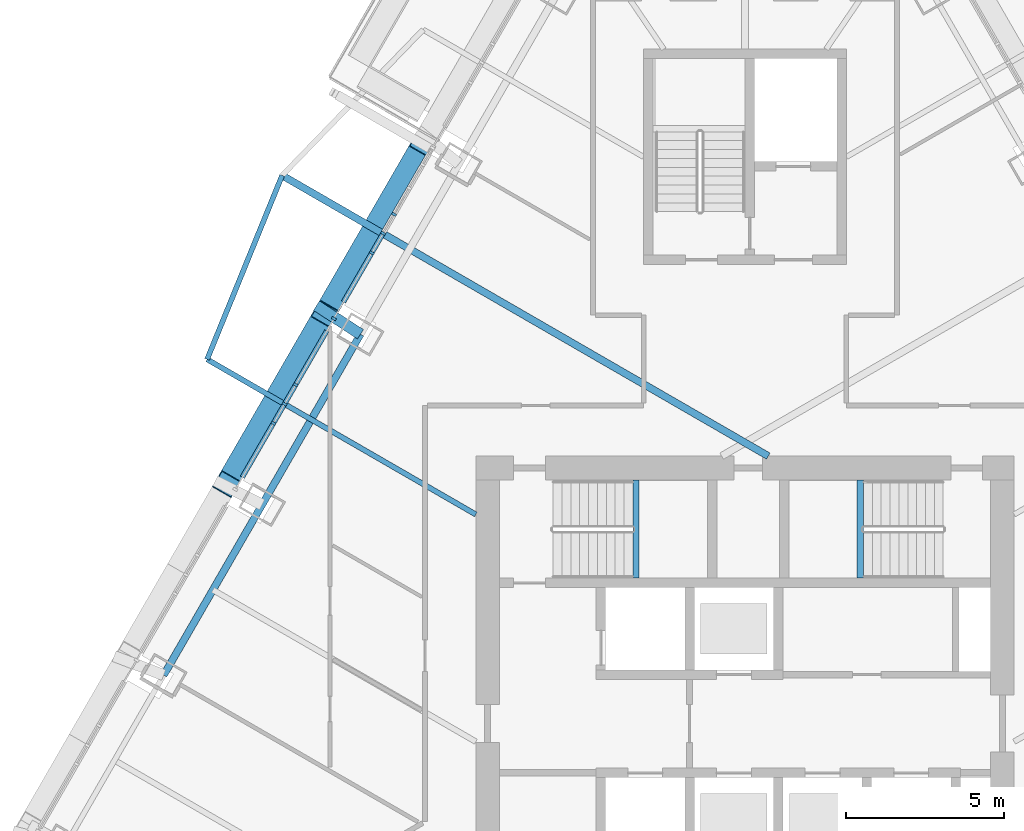
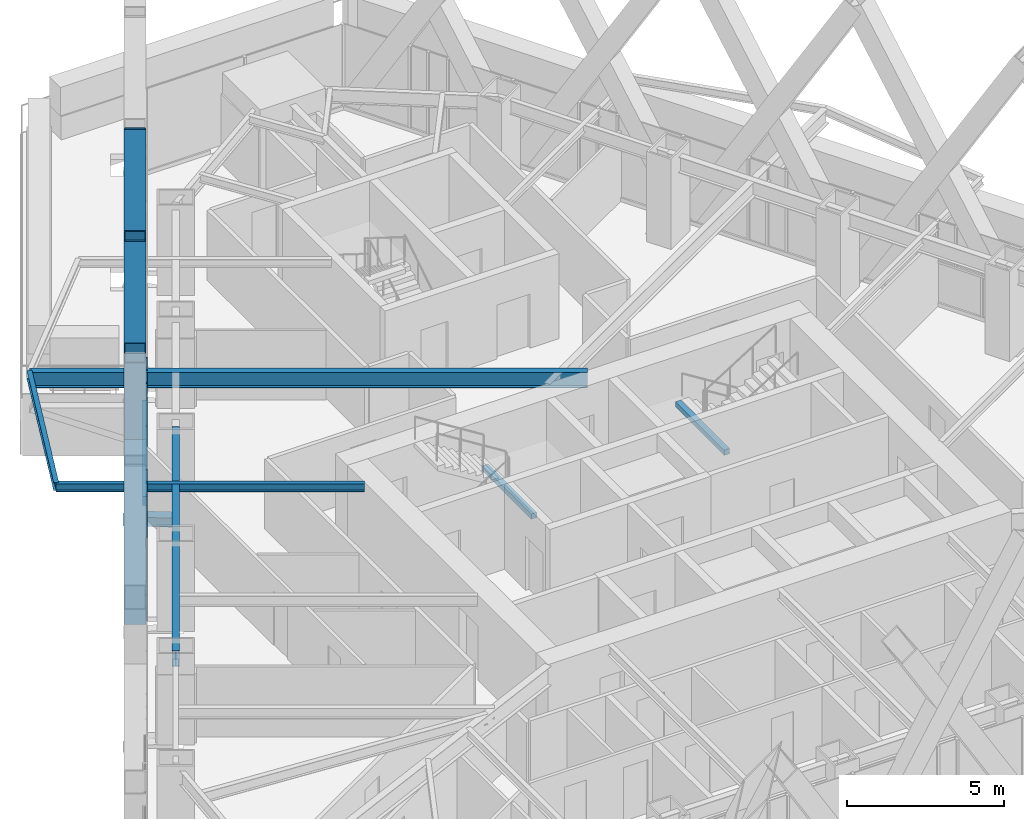
# One storey, part 4 of 23: 14 members, 6 beams, 1 element without a shape of its own.
"""IFC4 building model written with IfcOpenShell, lengths in metres."""

import ifcopenshell
import ifcopenshell.guid

model = None  # the IFC model being written
_history = None  # IfcOwnerHistory: only IFC2X3 demands one
_inside = {}  # id of a spatial element -> (the spatial element, [elements in it])
_under = {}  # id of a project, library or spatial element -> (it, [spatial elements below it])
_declared = {}  # id of a project -> (the project, [libraries it declares])
_typed = {}  # id of a type object -> (the type object, [elements of that type])
_made_of = {}  # id of a material, layer set ... -> (it, [elements and type objects made of it])


def new_model(schema):
    """Start an empty IFC model of exactly this schema.

    Asked for "IFC4X3", IfcOpenShell would pick the latest addendum, in which some entities
    have other attributes; the version numbers below select the first issue.
    IFC2X3 requires an IfcOwnerHistory on every rooted entity: one is made here for all.
    """
    global model, _history
    if schema == "IFC4X3":
        model = ifcopenshell.file(schema_version=(4, 3, 0, 0))
    else:
        model = ifcopenshell.file(schema=schema)
    _inside.clear()
    _under.clear()
    _declared.clear()
    _typed.clear()
    _made_of.clear()
    _history = None
    if model.schema == "IFC2X3":
        org = make("IfcOrganization", Name="unknown")
        user = make(
            "IfcPersonAndOrganization",
            ThePerson=make("IfcPerson", FamilyName="unknown"),
            TheOrganization=org,
        )
        app = make(
            "IfcApplication",
            ApplicationDeveloper=org,
            Version="unknown",
            ApplicationFullName="unknown",
            ApplicationIdentifier="unknown",
        )
        _history = make(
            "IfcOwnerHistory",
            OwningUser=user,
            OwningApplication=app,
            ChangeAction="ADDED",
            CreationDate=0,
        )
    return model


def make(cls, **values):
    """One entity of the class cls with the attributes given. An attribute that is None is left unset."""
    return model.create_entity(
        cls, **{name: value for name, value in values.items() if value is not None}
    )


def rooted(cls, **values):
    """An entity with a GlobalId (a new one), such as an element, a storey or a relation."""
    return make(cls, GlobalId=ifcopenshell.guid.new(), OwnerHistory=_history, **values)


def si_unit(unit_type, name, prefix=None):
    """IfcSIUnit, for example si_unit("LENGTHUNIT", "METRE", prefix="MILLI")."""
    return make("IfcSIUnit", UnitType=unit_type, Prefix=prefix, Name=name)


def assignment(units):
    """IfcUnitAssignment: the units of a project."""
    return None if units is None else make("IfcUnitAssignment", Units=units)


def point(xyz):
    """IfcCartesianPoint."""
    return None if xyz is None else make("IfcCartesianPoint", Coordinates=xyz)


def direction(xyz):
    """IfcDirection."""
    return None if xyz is None else make("IfcDirection", DirectionRatios=xyz)


def frame(location, z_axis=None, x_axis=None):
    """IfcAxis2Placement3D, a coordinate frame: its origin and axes. An axis left out is left unset."""
    return make(
        "IfcAxis2Placement3D",
        Location=point(location),
        Axis=direction(z_axis),
        RefDirection=direction(x_axis),
    )


def frame_2d(location, x_axis=None):
    """IfcAxis2Placement2D, a coordinate frame in the plane: its origin and x axis."""
    return make(
        "IfcAxis2Placement2D", Location=point(location), RefDirection=direction(x_axis)
    )


def origin():
    """The frame at (0, 0, 0) with its axes left unset."""
    return frame((0.0, 0.0, 0.0))


def origin_2d():
    """The frame at (0, 0) in the plane with its x axis left unset."""
    return frame_2d((0.0, 0.0))


def place(relative_to, where):
    """IfcLocalPlacement: puts the frame where relative to a parent placement (None: the world)."""
    return make(
        "IfcLocalPlacement", PlacementRelTo=relative_to, RelativePlacement=where
    )


def context(
    kind, dimensions, precision=None, world=None, true_north=None, identifier=None
):
    """IfcGeometricRepresentationContext, for example the 3D "Model" context."""
    return make(
        "IfcGeometricRepresentationContext",
        ContextIdentifier=identifier,
        ContextType=kind,
        CoordinateSpaceDimension=dimensions,
        Precision=precision,
        WorldCoordinateSystem=world,
        TrueNorth=true_north,
    )


def subcontext(parent, identifier, kind, view, scale=None):
    """IfcGeometricRepresentationSubContext, for example "Body" below "Model"."""
    return make(
        "IfcGeometricRepresentationSubContext",
        ContextIdentifier=identifier,
        ContextType=kind,
        ParentContext=parent,
        TargetScale=scale,
        TargetView=view,
    )


def project(units=None, contexts=None):
    """IfcProject with its units and contexts."""
    return rooted(
        "IfcProject",
        Name="project",
        RepresentationContexts=contexts,
        UnitsInContext=assignment(units),
    )


def spatial(cls, under=None, at=None, **own):
    """A site, building, storey or space (cls), placed at a placement, below another one or the project."""
    s = rooted(cls, ObjectPlacement=at, **own)
    if under is not None:
        _under.setdefault(under.id(), (under, []))[1].append(s)
    return s


def profile(cls, at=None, kind="AREA", **sizes):
    """A parametric profile (cls). Its sizes go by their IFC names, for example OverallWidth=200.0."""
    return make(cls, ProfileType=kind, Position=at, **sizes)


def rectangle(**sizes):
    """IfcRectangleProfileDef."""
    return profile("IfcRectangleProfileDef", **sizes)


def hollow_rectangle(**sizes):
    """IfcRectangleHollowProfileDef."""
    return profile("IfcRectangleHollowProfileDef", **sizes)


def i_section(**sizes):
    """IfcIShapeProfileDef."""
    return profile("IfcIShapeProfileDef", **sizes)


def extrude(swept, where, along, depth):
    """IfcExtrudedAreaSolid: the profile swept, set in the frame where, extruded along a direction by depth."""
    return make(
        "IfcExtrudedAreaSolid",
        SweptArea=swept,
        Position=where,
        ExtrudedDirection=direction(along),
        Depth=depth,
    )


def shape(context_of_items, identifier, shape_type, items):
    """IfcShapeRepresentation: the items that make up one representation, for example the "Body"."""
    return make(
        "IfcShapeRepresentation",
        ContextOfItems=context_of_items,
        RepresentationIdentifier=identifier,
        RepresentationType=shape_type,
        Items=items,
    )


def material(Name=None, Category=None):
    """IfcMaterial."""
    return make("IfcMaterial", Name=Name, Category=Category)


def layer(
    of_material, thickness, ventilated=None, Name=None, Category=None, Priority=None
):
    """IfcMaterialLayer: one layer of a wall or slab, of a material (None: an air gap)."""
    return make(
        "IfcMaterialLayer",
        Material=of_material,
        LayerThickness=thickness,
        IsVentilated=ventilated,
        Name=Name,
        Category=Category,
        Priority=Priority,
    )


def layer_set(layers, Name=None):
    """IfcMaterialLayerSet."""
    return make("IfcMaterialLayerSet", MaterialLayers=layers, LayerSetName=Name)


def material_profile(
    of_material, cross_section, Name=None, Category=None, Priority=None
):
    """IfcMaterialProfile: a cross section and its material."""
    return make(
        "IfcMaterialProfile",
        Name=Name,
        Material=of_material,
        Profile=cross_section,
        Priority=Priority,
        Category=Category,
    )


def profile_set(profiles, Name=None, composite=None):
    """IfcMaterialProfileSet."""
    return make(
        "IfcMaterialProfileSet",
        Name=Name,
        MaterialProfiles=profiles,
        CompositeProfile=composite,
    )


def made_of(thing, what):
    """Note that an element or type object is made of a material, layer set ...; save() writes the relation."""
    if what is not None:
        _made_of.setdefault(what.id(), (what, []))[1].append(thing)
    return thing


def type_object(cls, material=None, **own):
    """A type object (cls), such as IfcWallType, which elements share."""
    return made_of(rooted(cls, **own), material)


def element(
    cls,
    number,
    at=None,
    inside=None,
    cuts=None,
    type_object=None,
    material=None,
    context=None,
    identifier="Body",
    shape_type=None,
    held_by="IfcProductDefinitionShape",
    body=None,
    shapes=None,
    **own,
):
    """One element of the class cls, such as IfcWall. Its Tag is "e" and its number.

    at: its placement. inside: the storey or other place that contains it. cuts: it is an
    opening in that element (IfcRelVoidsElement). A single representation is given by context,
    identifier, shape_type and body (its items); several are given by shapes. held_by: the class
    of the entity that holds the representations. save() writes the other relations.
    """
    e = rooted(cls, Tag="e%d" % number, ObjectPlacement=at, **own)
    if body is not None:
        shapes = [shape(context, identifier, shape_type, body)]
    if shapes is not None:
        e.Representation = make(held_by, Representations=shapes)
    if inside is not None:
        _inside.setdefault(inside.id(), (inside, []))[1].append(e)
    if cuts is not None:
        rooted(
            "IfcRelVoidsElement", RelatingBuildingElement=cuts, RelatedOpeningElement=e
        )
    if type_object is not None:
        _typed.setdefault(type_object.id(), (type_object, []))[1].append(e)
    return made_of(e, material)


def aggregate(whole, parts):
    """IfcRelAggregates: a whole, such as a stair, and the parts it consists of."""
    return rooted("IfcRelAggregates", RelatingObject=whole, RelatedObjects=parts)


def save(model, path):
    """Write the relations noted so far, then the file.

    IfcRelAggregates (storeys below a building ...), IfcRelContainedInSpatialStructure (elements
    in a storey), IfcRelDefinesByType, IfcRelAssociatesMaterial and IfcRelDeclares: one each for
    every whole, place, type object, material and project.
    """
    for whole, parts in _under.values():
        aggregate(whole, parts)
    for where, things in _inside.values():
        rooted(
            "IfcRelContainedInSpatialStructure",
            RelatedElements=things,
            RelatingStructure=where,
        )
    for kind, things in _typed.values():
        rooted("IfcRelDefinesByType", RelatedObjects=things, RelatingType=kind)
    for what, things in _made_of.values():
        rooted("IfcRelAssociatesMaterial", RelatedObjects=things, RelatingMaterial=what)
    for by, libraries in _declared.values():
        rooted("IfcRelDeclares", RelatingContext=by, RelatedDefinitions=libraries)
    model.write(path)


model = new_model("IFC4")

# Units and contexts
model_context = context("Model", 3, precision=1e-05, world=origin(), true_north=direction((0.0, 1.0)))
body_context = subcontext(model_context, "Body", "Model", "MODEL_VIEW")
ifc_project = project(units=[si_unit("LENGTHUNIT", "METRE"), si_unit("AREAUNIT", "SQUARE_METRE"), si_unit("VOLUMEUNIT", "CUBIC_METRE"), si_unit("PLANEANGLEUNIT", "RADIAN"), si_unit("MASSUNIT", "GRAM", prefix="KILO")], contexts=[model_context])

# Site, building, storey
site_placement = place(None, origin())
site = spatial("IfcSite", under=ifc_project, at=site_placement, CompositionType="ELEMENT")
building_placement = place(site_placement, origin())
building = spatial("IfcBuilding", under=site, at=building_placement, Name="Firuza Gate Tower and Library", CompositionType="ELEMENT")
storey_placement = place(building_placement, frame((0.0, 0.0, 291.60009765625)))
storey = spatial("IfcBuildingStorey", under=building, at=storey_placement, Name="L70", CompositionType="ELEMENT", Elevation=291.60009765625)

# Members
ifc_material_1 = material(Name="Steel S355", Category="steel")
ifc_material_profile_1 = material_profile(ifc_material_1, hollow_rectangle(XDim=0.699951171875, YDim=0.699951171875, WallThickness=0.030029296875, at=origin_2d()))
ifc_profile_set_1 = profile_set([ifc_material_profile_1], Name="Steel S355")
member_type_1 = type_object("IfcMemberType", Name="BU700x700x30 Lattice brace", PredefinedType="BRACE", material=ifc_profile_set_1)
for number, where, z_axis, x_axis, name in (
    (1, (64.84033203125, 91.62744140625, 0.0), (-0.254633703079, -0.441031576884, 0.860611890138), (0.866021999733, -0.500005895944, 0.0), "Lattice brace W 18.3R"),
    (2, (61.733642578125, 86.24658203125, 0.0), (0.254633703079, 0.441031576884, 0.860611890138), (-0.866021999733, 0.500005895944, 0.0), "Lattice brace W 18.3L"),
    (3, (61.733642578125, 86.24658203125, 0.0), (-0.254633703079, -0.441031576884, 0.860611890138), (0.866021999733, -0.500005895944, 0.0), "Lattice brace W 18.4R"),
    (4, (58.626953125, 80.86572265625, 0.0), (0.254633703079, 0.441031576884, 0.860611890138), (-0.866021999733, 0.500005895944, 0.0), "Lattice brace W 18.4L"),
):
    element("IfcMember", number, at=place(storey_placement, frame(where, z_axis=z_axis, x_axis=x_axis)), inside=storey, type_object=member_type_1, Name=name, PredefinedType="BRACE", context=body_context, shape_type="SweptSolid", body=[
        extrude(hollow_rectangle(XDim=0.699951171875, YDim=0.699951171875, WallThickness=0.030029296875, at=origin_2d()), origin(), (0.0, 0.0, 1.0), 12.20068359375),
    ])

# Curtain wall, members
ifc_material_2 = material(Name="Aluminium 6063-T6", Category="aluminium")
ifc_layer = layer(ifc_material_2, 0.14990234375)
ifc_layer_set = layer_set([ifc_layer], Name="Unitised curtain wall, residences")
curtain_wall_type = type_object("IfcCurtainWallType", Name="Unitised curtain wall, residences", PredefinedType="NOTDEFINED", material=ifc_layer_set)
curtain_wall_placement = place(storey_placement, origin())
curtain_wall = element("IfcCurtainWall", 5, at=curtain_wall_placement, inside=storey, type_object=curtain_wall_type, Name="CW3 L70 W face", PredefinedType="NOTDEFINED")
ifc_material_3 = material(Name="Aluminium 6063-T6", Category="aluminium")
ifc_material_profile_2 = material_profile(ifc_material_3, rectangle(XDim=0.14990234375, YDim=0.080078125, at=origin_2d()))
ifc_profile_set_2 = profile_set([ifc_material_profile_2], Name="Aluminium 6063-T6")
member_type_2 = type_object("IfcMemberType", Name="Curtain wall mullion 80x150", PredefinedType="MULLION", material=ifc_profile_set_2)
member_1_placement = place(storey_placement, frame((63.574462890625, 88.785400390625, 0.14990234375), z_axis=(0.0, 0.0, 1.0), x_axis=(0.866025403784, -0.5, 0.0)))
member_1 = element("IfcMember", 6, at=member_1_placement, type_object=member_type_2, Name="Mullion", PredefinedType="MULLION", context=body_context, shape_type="SweptSolid", body=[
    extrude(rectangle(XDim=0.14990234375, YDim=0.080078125, at=origin_2d()), origin(), (0.0, 0.0, 1.0), 3.14990234375),
])
member_2_placement = place(storey_placement, frame((62.01806640625, 86.089599609375, 0.14990234375), z_axis=(0.0, 0.0, 1.0), x_axis=(0.866025403784, -0.5, 0.0)))
member_2 = element("IfcMember", 7, at=member_2_placement, type_object=member_type_2, Name="Mullion", PredefinedType="MULLION", context=body_context, shape_type="SweptSolid", body=[
    extrude(rectangle(XDim=0.14990234375, YDim=0.080078125, at=origin_2d()), origin(), (0.0, 0.0, 1.0), 3.14990234375),
])
member_3_placement = place(storey_placement, frame((60.461669921875, 83.393798828125, 0.14990234375), z_axis=(0.0, 0.0, 1.0), x_axis=(0.866025403784, -0.5, 0.0)))
member_3 = element("IfcMember", 8, at=member_3_placement, type_object=member_type_2, Name="Mullion", PredefinedType="MULLION", context=body_context, shape_type="SweptSolid", body=[
    extrude(rectangle(XDim=0.14990234375, YDim=0.080078125, at=origin_2d()), origin(), (0.0, 0.0, 1.0), 3.14990234375),
])
member_4_placement = place(storey_placement, frame((63.91943359375, 89.3828125, 1.764892578125), z_axis=(0.0, 0.0, 1.0), x_axis=(0.866025403784, -0.5, 0.0)))
member_4 = element("IfcMember", 9, at=member_4_placement, type_object=member_type_2, Name="Mullion", PredefinedType="MULLION", context=body_context, shape_type="SweptSolid", body=[
    extrude(rectangle(XDim=0.14990234375, YDim=0.080078125, at=origin_2d()), origin(), (0.0, 0.0, 1.0), 1.534912109375),
])
member_5_placement = place(storey_placement, frame((63.21728515625, 88.16650390625, 0.14990234375), z_axis=(0.0, 0.0, 1.0), x_axis=(0.866025403784, -0.5, 0.0)))
member_5 = element("IfcMember", 10, at=member_5_placement, type_object=member_type_2, Name="Mullion", PredefinedType="MULLION", context=body_context, shape_type="SweptSolid", body=[
    extrude(rectangle(XDim=0.14990234375, YDim=0.080078125, at=origin_2d()), origin(), (0.0, 0.0, 1.0), 3.14990234375),
])
member_6_placement = place(storey_placement, frame((60.812744140625, 84.001708984375, 0.14990234375), z_axis=(0.0, 0.0, 1.0), x_axis=(0.866025403784, -0.5, 0.0)))
member_6 = element("IfcMember", 11, at=member_6_placement, type_object=member_type_2, Name="Mullion", PredefinedType="MULLION", context=body_context, shape_type="SweptSolid", body=[
    extrude(rectangle(XDim=0.14990234375, YDim=0.080078125, at=origin_2d()), origin(), (0.0, 0.0, 1.0), 3.14990234375),
])
member_7_placement = place(storey_placement, frame((60.110595703125, 82.78564453125, 0.14990234375), z_axis=(0.0, 0.0, 1.0), x_axis=(0.866025403784, -0.5, 0.0)))
member_7 = element("IfcMember", 12, at=member_7_placement, type_object=member_type_2, Name="Mullion", PredefinedType="MULLION", context=body_context, shape_type="SweptSolid", body=[
    extrude(rectangle(XDim=0.14990234375, YDim=0.080078125, at=origin_2d()), origin(), (0.0, 0.0, 1.0), 3.14990234375),
])
ifc_material_4 = material(Name="Aluminium 6063-T6", Category="aluminium")
ifc_material_profile_3 = material_profile(ifc_material_4, rectangle(XDim=0.14990234375, YDim=0.35009765625, at=origin_2d()))
ifc_profile_set_3 = profile_set([ifc_material_profile_3], Name="Aluminium 6063-T6")
member_type_3 = type_object("IfcMemberType", Name="Curtain wall transom 350x150", PredefinedType="USERDEFINED", material=ifc_profile_set_3)
member_8_placement = place(storey_placement, frame((64.989990234375, 91.23681640625, -0.025146484375), z_axis=(-0.500012982194, -0.866017908382, 0.0), x_axis=(0.866017908382, -0.500012982194, 0.0)))
member_8 = element("IfcMember", 13, at=member_8_placement, type_object=member_type_3, Name="Transom", ObjectType="TRANSOM", PredefinedType="USERDEFINED", context=body_context, shape_type="SweptSolid", body=[
    extrude(rectangle(XDim=0.14990234375, YDim=0.35009765625, at=origin_2d()), origin(), (0.0, 0.0, 1.0), 5.334228515625),
])
member_9_placement = place(storey_placement, frame((61.795166015625, 85.70361328125, -0.025146484375), z_axis=(-0.499978655776, -0.866037726527, 0.0), x_axis=(0.866037726527, -0.499978655776, 0.0)))
member_9 = element("IfcMember", 14, at=member_9_placement, type_object=member_type_3, Name="Transom", ObjectType="TRANSOM", PredefinedType="USERDEFINED", context=body_context, shape_type="SweptSolid", body=[
    extrude(rectangle(XDim=0.14990234375, YDim=0.35009765625, at=origin_2d()), origin(), (0.0, 0.0, 1.0), 5.334228515625),
])
aggregate(curtain_wall, [member_1, member_2, member_3, member_8, member_9, member_4, member_5, member_6, member_7])

# Member
ifc_material_5 = material(Name="Steel S355", Category="steel")
ifc_material_profile_4 = material_profile(ifc_material_5, hollow_rectangle(XDim=0.355712890625, YDim=0.355712890625, WallThickness=0.014892578125, at=origin_2d()))
ifc_profile_set_4 = profile_set([ifc_material_profile_4], Name="Steel S355")
member_type_4 = type_object("IfcMemberType", Name="HSS356x356x16 Lattice node tie", PredefinedType="BRACE", material=ifc_profile_set_4)
member_10_placement = place(storey_placement, frame((62.859375, 85.5966796875, -0.320068359375), z_axis=(-0.838272003294, 0.545252279677, 0.0), x_axis=(-0.545252279677, -0.838272003294, 0.0)))
element("IfcMember", 15, at=member_10_placement, inside=storey, type_object=member_type_4, Name="Lattice node tie W L70 493", PredefinedType="BRACE", context=body_context, shape_type="SweptSolid", body=[
    extrude(hollow_rectangle(XDim=0.355712890625, YDim=0.355712890625, WallThickness=0.014892578125, at=origin_2d()), origin(), (0.0, 0.0, 1.0), 1.657958984375),
])

# Beams
ifc_material_6 = material(Name="Concrete C35/45", Category="concrete")
ifc_material_profile_5 = material_profile(ifc_material_6, rectangle(XDim=0.199951171875, YDim=0.199951171875, at=origin_2d()))
ifc_profile_set_5 = profile_set([ifc_material_profile_5], Name="Concrete C35/45")
beam_type_1 = type_object("IfcBeamType", Name="Stair landing bearer 200x200", PredefinedType="BEAM", material=ifc_profile_set_5)
for number, where, z_axis, x_axis, name in (
    (16, (71.56005859375, 77.89990234375, 1.449951171875), (0.0, 1.0, 0.0), (-1.0, 0.0, 0.0), "Landing bearer L70 stair 1"),
    (17, (78.639892578125, 81.0, 1.449951171875), (0.0, -1.0, 0.0), (1.0, 0.0, 0.0), "Landing bearer L70 stair 2"),
):
    element("IfcBeam", number, at=place(storey_placement, frame(where, z_axis=z_axis, x_axis=x_axis)), inside=storey, type_object=beam_type_1, Name=name, PredefinedType="BEAM", context=body_context, shape_type="SweptSolid", body=[
        extrude(rectangle(XDim=0.199951171875, YDim=0.199951171875, at=origin_2d()), origin(), (0.0, 0.0, 1.0), 3.10009765625),
    ])
ifc_material_7 = material(Name="Steel S355", Category="steel")
ifc_material_profile_6 = material_profile(ifc_material_7, i_section(OverallWidth=0.1650390625, OverallDepth=0.31005859375, WebThickness=0.005859375, FlangeThickness=0.009765625, at=origin_2d()))
ifc_profile_set_6 = profile_set([ifc_material_profile_6], Name="Steel S355")
beam_type_2 = type_object("IfcBeamType", Name="W310x39 Floor beam", PredefinedType="JOIST", material=ifc_profile_set_6)
beam_1_placement = place(storey_placement, frame((58.0166015625, 84.805419921875, 3.14501953125), z_axis=(0.866022890907, -0.500004352405, 0.0), x_axis=(0.500004352405, 0.866022890907, 0.0)))
element("IfcBeam", 18, at=beam_1_placement, inside=storey, type_object=beam_type_2, Name="Floor beam L70 s82", PredefinedType="JOIST", context=body_context, shape_type="SweptSolid", body=[
    extrude(i_section(OverallWidth=0.1650390625, OverallDepth=0.31005859375, WebThickness=0.005859375, FlangeThickness=0.009765625, at=origin_2d()), origin(), (0.0, 0.0, 1.0), 9.7958984375),
])
beam_2_placement = place(storey_placement, frame((60.3857421875, 90.612060546875, 3.14501953125), z_axis=(-0.377771685789, -0.92589878141, 0.0), x_axis=(0.92589878141, -0.377771685789, 0.0)))
element("IfcBeam", 19, at=beam_2_placement, inside=storey, type_object=beam_type_2, Name="Tray edge beam L70 s81-s82", PredefinedType="JOIST", context=body_context, shape_type="SweptSolid", body=[
    extrude(i_section(OverallWidth=0.1650390625, OverallDepth=0.31005859375, WebThickness=0.005859375, FlangeThickness=0.009765625, at=origin_2d()), origin(), (0.0, 0.0, 1.0), 6.271240234375),
])
ifc_material_8 = material(Name="Steel S355", Category="steel")
ifc_material_profile_7 = material_profile(ifc_material_8, i_section(OverallWidth=0.22802734375, OverallDepth=0.60302734375, WebThickness=0.010498046875, FlangeThickness=0.014892578125, at=origin_2d()))
ifc_profile_set_7 = profile_set([ifc_material_profile_7], Name="Steel S355")
beam_type_3 = type_object("IfcBeamType", Name="W610x101 Floor beam", PredefinedType="JOIST", material=ifc_profile_set_7)
beam_3_placement = place(storey_placement, frame((60.3857421875, 90.612060546875, 2.998291015625), z_axis=(0.866026394633, -0.499998283796, 0.0), x_axis=(0.499998283796, 0.866026394633, 0.0)))
element("IfcBeam", 20, at=beam_3_placement, inside=storey, type_object=beam_type_3, Name="Floor beam L70 s81", PredefinedType="JOIST", context=body_context, shape_type="SweptSolid", body=[
    extrude(i_section(OverallWidth=0.22802734375, OverallDepth=0.60302734375, WebThickness=0.010498046875, FlangeThickness=0.014892578125, at=origin_2d()), origin(), (0.0, 0.0, 1.0), 17.72412109375),
])
ifc_material_9 = material(Name="Steel S355", Category="steel")
ifc_material_profile_8 = material_profile(ifc_material_9, i_section(OverallWidth=0.22900390625, OverallDepth=0.612060546875, WebThickness=0.011962890625, FlangeThickness=0.01953125, at=origin_2d()))
ifc_profile_set_8 = profile_set([ifc_material_profile_8], Name="Steel S355")
beam_type_4 = type_object("IfcBeamType", Name="W610x125 Edge beam", PredefinedType="SPANDREL", material=ifc_profile_set_8)
beam_4_placement = place(storey_placement, frame((62.859375, 85.5966796875, 2.993896484375), z_axis=(-0.499997388771, -0.866026911373, 0.0), x_axis=(0.866026911373, -0.499997388771, 0.0)))
element("IfcBeam", 21, at=beam_4_placement, inside=storey, type_object=beam_type_4, Name="Edge beam L70 e82", PredefinedType="SPANDREL", context=body_context, shape_type="SweptSolid", body=[
    extrude(i_section(OverallWidth=0.22900390625, OverallDepth=0.612060546875, WebThickness=0.011962890625, FlangeThickness=0.01953125, at=origin_2d()), origin(), (0.0, 0.0, 1.0), 12.4267578125),
])

save(model, "model.ifc")
